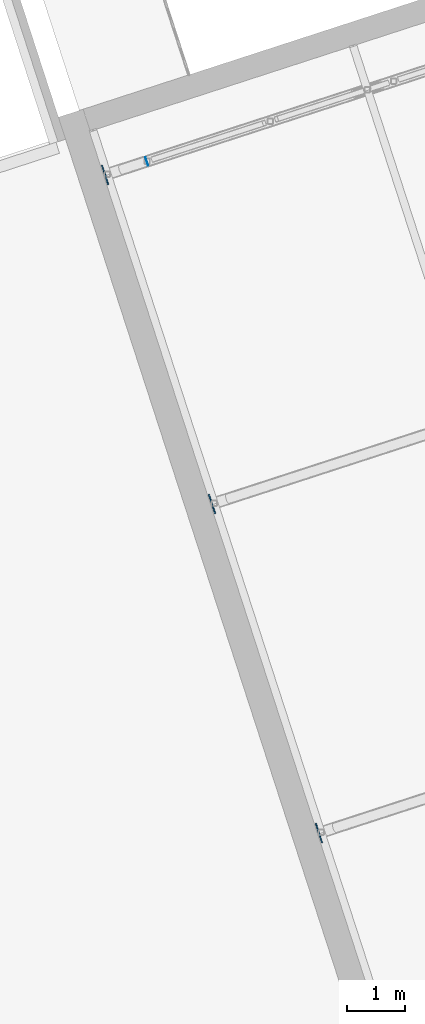
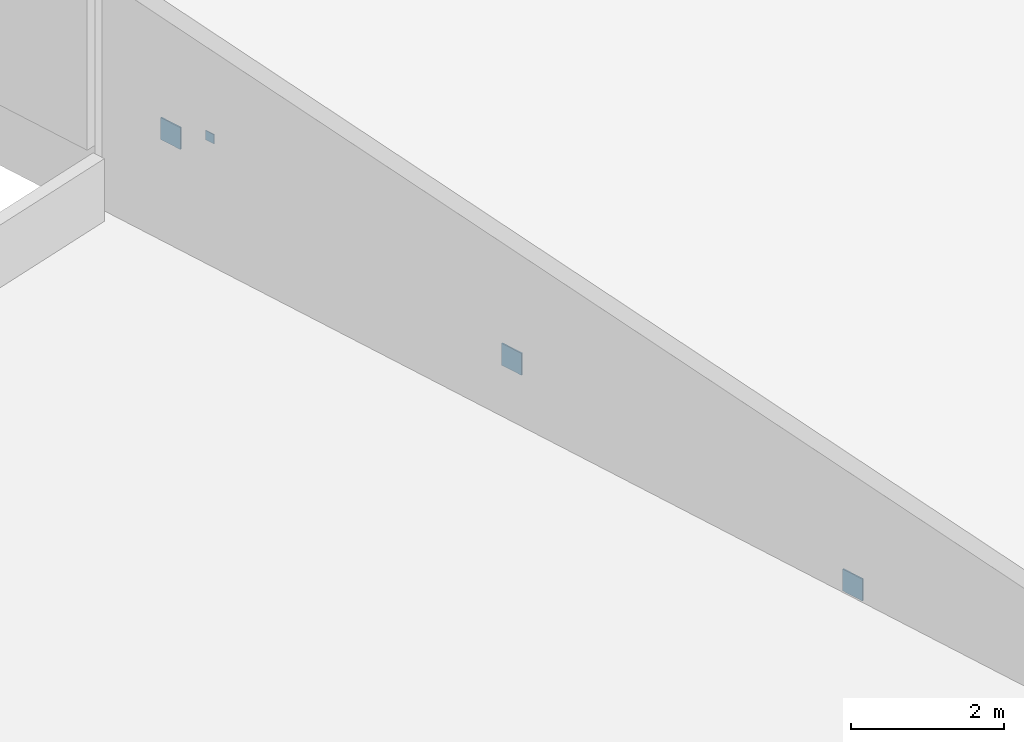
# One storey, part 46 of 55: 4 plates.
"""IFC4 building model written with IfcOpenShell, lengths in metres."""

from ifc_helpers import new_model, si_unit, direction, frame, origin, place, context, subcontext, project, spatial, polyline, outline, extrude, material, layer, layer_set, type_object, element, save


model = new_model("IFC4")

# Units and contexts
model_context = context("Model", 3, precision=1e-05, world=origin(), true_north=direction((0.0, 1.0)))
body_context = subcontext(model_context, "Body", "Model", "MODEL_VIEW")
ifc_project = project(units=[si_unit("LENGTHUNIT", "METRE"), si_unit("AREAUNIT", "SQUARE_METRE"), si_unit("VOLUMEUNIT", "CUBIC_METRE"), si_unit("PLANEANGLEUNIT", "RADIAN"), si_unit("MASSUNIT", "GRAM", prefix="KILO")], contexts=[model_context])

# Site, building, storey
site_placement = place(None, origin())
site = spatial("IfcSite", under=ifc_project, at=site_placement, CompositionType="ELEMENT")
building_placement = place(site_placement, origin())
building = spatial("IfcBuilding", under=site, at=building_placement, Name="Tuart Plaza Theatre", CompositionType="ELEMENT")
storey_placement = place(building_placement, frame((0.0, 0.0, 21.5)))
storey = spatial("IfcBuildingStorey", under=building, at=storey_placement, Name="L05", CompositionType="ELEMENT", Elevation=21.5)

# Plates
ifc_material_1 = material(Name="Steel Grade 300", Category="steel")
ifc_layer_1 = layer(ifc_material_1, 0.02001953125)
ifc_layer_set_1 = layer_set([ifc_layer_1], Name="PLATE Cast-in 20 Steel Grade 300")
plate_type_1 = type_object("IfcPlateType", Name="PLATE Cast-in 20 Steel Grade 300", PredefinedType="SHEET", material=ifc_layer_set_1)
plate_1_placement = place(storey_placement, frame((45.65185546875, 56.175048828125, -0.4033203125), z_axis=(0.951095540201, 0.308896865329, 0.0), x_axis=(-0.308896865329, 0.951095540201, 0.0)))
element("IfcPlate", 1, at=plate_1_placement, inside=storey, type_object=plate_type_1, Name="CI5", PredefinedType="SHEET", context=body_context, shape_type="SweptSolid", body=[
    extrude(outline(polyline([(0.0, 0.0), (0.35013076859733533, 0.0), (0.35013076859733533, 0.349853515625), (0.0, 0.349853515625), (0.0, 0.0)])), origin(), (0.0, 0.0, -1.0), 0.02001953125),
])
plate_2_placement = place(storey_placement, frame((43.7978515625, 61.88134765625, 0.388671875), z_axis=(0.950890519896, 0.309527412635, 0.0), x_axis=(-0.309527412635, 0.950890519896, 0.0)))
element("IfcPlate", 2, at=plate_2_placement, inside=storey, type_object=plate_type_1, Name="CI7", PredefinedType="SHEET", context=body_context, shape_type="SweptSolid", body=[
    extrude(outline(polyline([(0.0, 0.0), (0.3502062598505009, 0.0), (0.3502062598505009, 0.35009765625), (0.0, 0.35009765625), (0.0, 0.0)])), origin(), (0.0, 0.0, -1.0), 0.02001953125),
])
plate_3_placement = place(storey_placement, frame((41.943603515625, 67.587890625, 1.180908203125), z_axis=(0.951028941009, 0.309101849499, 0.0), x_axis=(-0.309101849499, 0.951028941009, 0.0)))
element("IfcPlate", 3, at=plate_3_placement, inside=storey, type_object=plate_type_1, Name="CI9", PredefinedType="SHEET", context=body_context, shape_type="SweptSolid", body=[
    extrude(outline(polyline([(0.0, 0.0), (0.34989857566480365, 0.0), (0.34989857566480365, 0.349853515625), (0.0, 0.349853515625), (0.0, 0.0)])), origin(), (0.0, 0.0, -1.0), 0.02001953125),
])
ifc_material_2 = material(Name="Steel Grade C350L0", Category="steel")
ifc_layer_2 = layer(ifc_material_2, 0.010009765625)
ifc_layer_set_2 = layer_set([ifc_layer_2], Name="PLATE End cap 10 Steel Grade C350L0")
plate_type_2 = type_object("IfcPlateType", Name="PLATE End cap 10 Steel Grade C350L0", PredefinedType="SHEET", material=ifc_layer_set_2)
plate_4_placement = place(storey_placement, frame((42.621337890625, 67.9130859375, 0.975830078125), z_axis=(-0.950938293792, -0.309380609282, 0.0), x_axis=(-0.309380609282, 0.950938293792, 0.0)))
element("IfcPlate", 4, at=plate_4_placement, inside=storey, type_object=plate_type_2, Name="EP47", PredefinedType="SHEET", context=body_context, shape_type="SweptSolid", body=[
    extrude(outline(polyline([(0.0, 0.0), (0.14993415022904966, 0.0), (0.14993415022904966, 0.14990234375000003), (0.0, 0.14990234375000003), (0.0, 0.0)])), origin(), (0.0, 0.0, -1.0), 0.010009765625),
])

save(model, "model.ifc")
